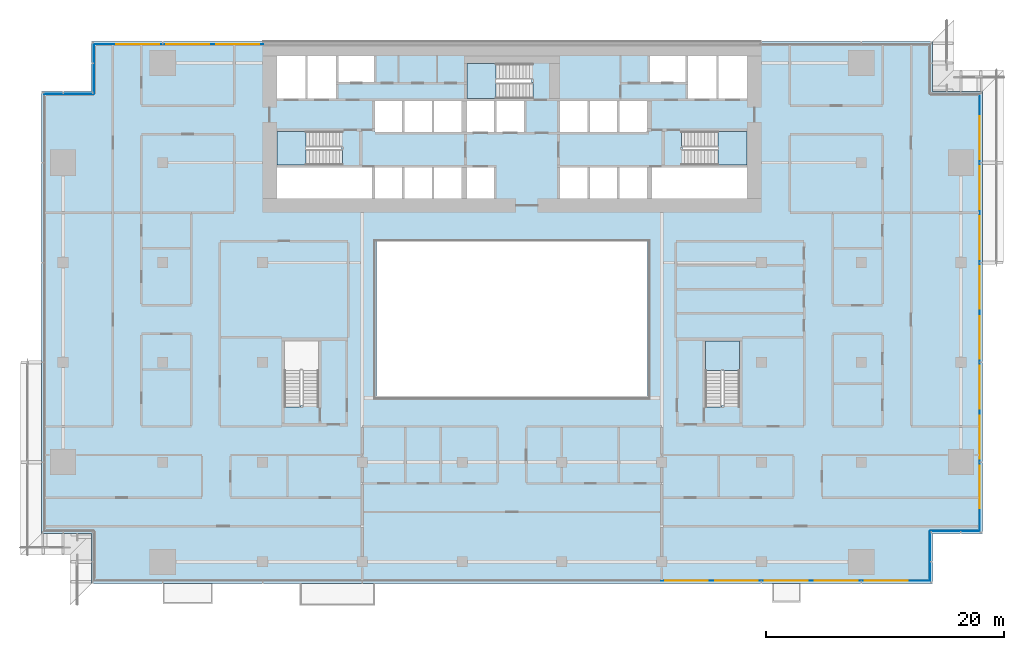
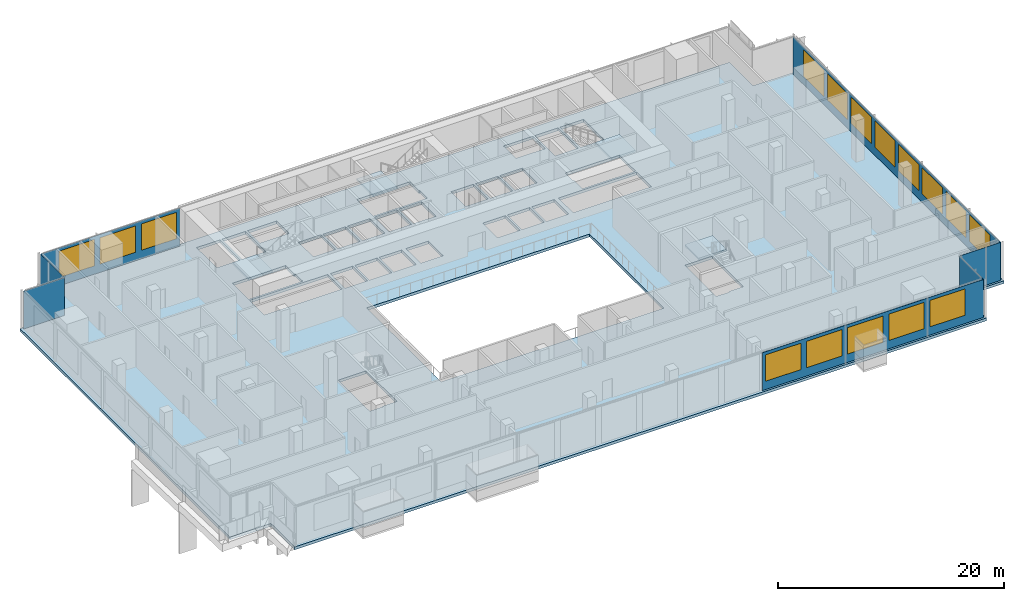
# One storey, part 12 of 23: 16 windows, 7 plates, 5 slabs, 16 openings, 11 elements without a shape of their own.
"""IFC4 building model written with IfcOpenShell, lengths in metres."""

from ifc_helpers import new_model, si_unit, direction, frame, frame_2d, origin, place, context, subcontext, project, spatial, polyline, rectangle, outline, extrude, material, layer, layer_set, type_object, element, fill, aggregate, save


model = new_model("IFC4")

# Units and contexts
model_context = context("Model", 3, precision=1e-05, world=origin(), true_north=direction((0.0, 1.0)))
body_context = subcontext(model_context, "Body", "Model", "MODEL_VIEW")
ifc_project = project(units=[si_unit("LENGTHUNIT", "METRE"), si_unit("AREAUNIT", "SQUARE_METRE"), si_unit("VOLUMEUNIT", "CUBIC_METRE"), si_unit("PLANEANGLEUNIT", "RADIAN"), si_unit("MASSUNIT", "GRAM", prefix="KILO")], contexts=[model_context])

# Site, building, storey
site_placement = place(None, origin())
site = spatial("IfcSite", under=ifc_project, at=site_placement, CompositionType="ELEMENT")
building_placement = place(site_placement, origin())
building = spatial("IfcBuilding", under=site, at=building_placement, Name="Saffron Gate Tower", CompositionType="ELEMENT")
storey_placement = place(building_placement, frame((0.0, 0.0, 32.699951171875)))
storey = spatial("IfcBuildingStorey", under=building, at=storey_placement, Name="L06", CompositionType="ELEMENT", Elevation=32.699951171875)

# Curtain wall, plate, openings, windows
ifc_material_1 = material(Name="Aluminium, bronze anodised", Category="aluminium")
curtain_wall_type = type_object("IfcCurtainWallType", Name="CWS6 curtain wall tall storeys", PredefinedType="NOTDEFINED", material=ifc_material_1)
curtain_wall_1_placement = place(storey_placement, origin())
curtain_wall_1 = element("IfcCurtainWall", 1, at=curtain_wall_1_placement, inside=storey, type_object=curtain_wall_type, Name="CWS6 run 1", PredefinedType="NOTDEFINED")
ifc_material_2 = material(Name="Fritted bronze-tinted laminated glass", Category="glass")
ifc_layer_1 = layer(ifc_material_2, 0.028076171875)
ifc_layer_set_1 = layer_set([ifc_layer_1], Name="CWS6 fixed glass")
plate_type = type_object("IfcPlateType", Name="CWS6 fixed glass", PredefinedType="CURTAIN_PANEL", material=ifc_layer_set_1)
plate_1_placement = place(storey_placement, frame((100.159912109375, 30.214111328125, 0.0), z_axis=(0.0, 0.0, 1.0), x_axis=(1.0, 0.0, 0.0)))
plate_1 = element("IfcPlate", 2, at=plate_1_placement, type_object=plate_type, Name="CWS6 glass panel", PredefinedType="CURTAIN_PANEL", context=body_context, shape_type="SweptSolid", body=[
    extrude(rectangle(XDim=22.612060546875, YDim=0.028076171875, at=frame_2d((11.30615234375, 0.0))), origin(), (0.0, 0.0, 1.0), 4.10009765625),
])
opening_1_placement = place(plate_1_placement, frame((0.340087890625, 0.0, 0.89990234375)))
opening_1 = element("IfcOpeningElement", 3, at=opening_1_placement, cuts=plate_1, Name="Opening W4", PredefinedType="OPENING", context=body_context, shape_type="SweptSolid", body=[
    extrude(rectangle(XDim=3.60009765625, YDim=2.85009765625, at=frame_2d((1.800048828125, 1.425048828125))), frame((0.0, 0.02392578125, 0.0), z_axis=(0.0, -1.0, 0.0), x_axis=(1.0, 0.0, 0.0)), (0.0, 0.0, 1.0), 0.048095703125),
])
opening_2_placement = place(plate_1_placement, frame((4.5400390625, 0.0, 0.89990234375)))
opening_2 = element("IfcOpeningElement", 4, at=opening_2_placement, cuts=plate_1, Name="Opening W4", PredefinedType="OPENING", context=body_context, shape_type="SweptSolid", body=[
    extrude(rectangle(XDim=3.60009765625, YDim=2.85009765625, at=frame_2d((1.800048828125, 1.425048828125))), frame((0.0, 0.02392578125, 0.0), z_axis=(0.0, -1.0, 0.0), x_axis=(1.0, 0.0, 0.0)), (0.0, 0.0, 1.0), 0.048095703125),
])
opening_3_placement = place(plate_1_placement, frame((8.739990234375, 0.0, 0.89990234375)))
opening_3 = element("IfcOpeningElement", 5, at=opening_3_placement, cuts=plate_1, Name="Opening W4", PredefinedType="OPENING", context=body_context, shape_type="SweptSolid", body=[
    extrude(rectangle(XDim=3.60009765625, YDim=2.85009765625, at=frame_2d((1.800048828125, 1.425048828125))), frame((0.0, 0.02392578125, 0.0), z_axis=(0.0, -1.0, 0.0), x_axis=(1.0, 0.0, 0.0)), (0.0, 0.0, 1.0), 0.048095703125),
])
opening_4_placement = place(plate_1_placement, frame((12.93994140625, 0.0, 0.89990234375)))
opening_4 = element("IfcOpeningElement", 6, at=opening_4_placement, cuts=plate_1, Name="Opening W4", PredefinedType="OPENING", context=body_context, shape_type="SweptSolid", body=[
    extrude(rectangle(XDim=3.60009765625, YDim=2.85009765625, at=frame_2d((1.800048828125, 1.425048828125))), frame((0.0, 0.02392578125, 0.0), z_axis=(0.0, -1.0, 0.0), x_axis=(1.0, 0.0, 0.0)), (0.0, 0.0, 1.0), 0.048095703125),
])
opening_5_placement = place(plate_1_placement, frame((17.139892578125, 0.0, 0.89990234375)))
opening_5 = element("IfcOpeningElement", 7, at=opening_5_placement, cuts=plate_1, Name="Opening W4", PredefinedType="OPENING", context=body_context, shape_type="SweptSolid", body=[
    extrude(rectangle(XDim=3.60009765625, YDim=2.85009765625, at=frame_2d((1.800048828125, 1.425048828125))), frame((0.0, 0.02392578125, 0.0), z_axis=(0.0, -1.0, 0.0), x_axis=(1.0, 0.0, 0.0)), (0.0, 0.0, 1.0), 0.048095703125),
])
ifc_material_3 = material(Name="Fritted bronze-tinted laminated glass in bronze frame", Category="glass")
ifc_layer_2 = layer(ifc_material_3, 0.06005859375)
ifc_layer_set_2 = layer_set([ifc_layer_2], Name="W4 operable panel 3600x2850")
window_type = type_object("IfcWindowType", Name="W4 operable panel 3600x2850", PartitioningType="DOUBLE_PANEL_HORIZONTAL", PredefinedType="WINDOW", material=ifc_layer_set_2)
window_1_placement = place(opening_1_placement, origin())
window_1 = element("IfcWindow", 8, at=window_1_placement, type_object=window_type, Name="W4 operable panel", OverallHeight=2.85009765625, OverallWidth=3.60009765625, PartitioningType="SINGLE_PANEL", PredefinedType="WINDOW", context=body_context, shape_type="SweptSolid", body=[
    extrude(rectangle(XDim=3.60009765625, YDim=2.85009765625, at=frame_2d((1.800048828125, 1.425048828125))), frame((0.0, 0.013671875, 0.0), z_axis=(0.0, -1.0, 0.0), x_axis=(1.0, 0.0, 0.0)), (0.0, 0.0, 1.0), 0.027587890625),
])
fill(opening_1, window_1)
window_2_placement = place(opening_2_placement, origin())
window_2 = element("IfcWindow", 9, at=window_2_placement, type_object=window_type, Name="W4 operable panel", OverallHeight=2.85009765625, OverallWidth=3.60009765625, PartitioningType="SINGLE_PANEL", PredefinedType="WINDOW", context=body_context, shape_type="SweptSolid", body=[
    extrude(rectangle(XDim=3.60009765625, YDim=2.85009765625, at=frame_2d((1.800048828125, 1.425048828125))), frame((0.0, 0.013671875, 0.0), z_axis=(0.0, -1.0, 0.0), x_axis=(1.0, 0.0, 0.0)), (0.0, 0.0, 1.0), 0.027587890625),
])
fill(opening_2, window_2)
window_3_placement = place(opening_3_placement, origin())
window_3 = element("IfcWindow", 10, at=window_3_placement, type_object=window_type, Name="W4 operable panel", OverallHeight=2.85009765625, OverallWidth=3.60009765625, PartitioningType="SINGLE_PANEL", PredefinedType="WINDOW", context=body_context, shape_type="SweptSolid", body=[
    extrude(rectangle(XDim=3.60009765625, YDim=2.85009765625, at=frame_2d((1.800048828125, 1.425048828125))), frame((0.0, 0.013671875, 0.0), z_axis=(0.0, -1.0, 0.0), x_axis=(1.0, 0.0, 0.0)), (0.0, 0.0, 1.0), 0.027587890625),
])
fill(opening_3, window_3)
window_4_placement = place(opening_4_placement, origin())
window_4 = element("IfcWindow", 11, at=window_4_placement, type_object=window_type, Name="W4 operable panel", OverallHeight=2.85009765625, OverallWidth=3.60009765625, PartitioningType="SINGLE_PANEL", PredefinedType="WINDOW", context=body_context, shape_type="SweptSolid", body=[
    extrude(rectangle(XDim=3.60009765625, YDim=2.85009765625, at=frame_2d((1.800048828125, 1.425048828125))), frame((0.0, 0.013671875, 0.0), z_axis=(0.0, -1.0, 0.0), x_axis=(1.0, 0.0, 0.0)), (0.0, 0.0, 1.0), 0.027587890625),
])
fill(opening_4, window_4)
window_5_placement = place(opening_5_placement, origin())
window_5 = element("IfcWindow", 12, at=window_5_placement, type_object=window_type, Name="W4 operable panel", OverallHeight=2.85009765625, OverallWidth=3.60009765625, PartitioningType="SINGLE_PANEL", PredefinedType="WINDOW", context=body_context, shape_type="SweptSolid", body=[
    extrude(rectangle(XDim=3.60009765625, YDim=2.85009765625, at=frame_2d((1.800048828125, 1.425048828125))), frame((0.0, 0.013671875, 0.0), z_axis=(0.0, -1.0, 0.0), x_axis=(1.0, 0.0, 0.0)), (0.0, 0.0, 1.0), 0.027587890625),
])
fill(opening_5, window_5)
aggregate(curtain_wall_1, [plate_1, window_1, window_2, window_3, window_4, window_5])

# Curtain wall, plate
curtain_wall_2_placement = place(storey_placement, origin())
curtain_wall_2 = element("IfcCurtainWall", 13, at=curtain_wall_2_placement, inside=storey, type_object=curtain_wall_type, Name="CWS6 run 2", PredefinedType="NOTDEFINED")
plate_2_placement = place(storey_placement, frame((122.785888671875, 30.22802734375, 0.0), z_axis=(0.0, 0.0, 1.0), x_axis=(0.0, 1.0, 0.0)))
plate_2 = element("IfcPlate", 14, at=plate_2_placement, type_object=plate_type, Name="CWS6 glass panel", PredefinedType="CURTAIN_PANEL", context=body_context, shape_type="SweptSolid", body=[
    extrude(rectangle(XDim=4.171875, YDim=0.028076171875, at=frame_2d((2.0859375, 0.0))), origin(), (0.0, 0.0, 1.0), 4.10009765625),
])
aggregate(curtain_wall_2, [plate_2])

curtain_wall_3_placement = place(storey_placement, origin())
curtain_wall_3 = element("IfcCurtainWall", 15, at=curtain_wall_3_placement, inside=storey, type_object=curtain_wall_type, Name="CWS6 run 3", PredefinedType="NOTDEFINED")
plate_3_placement = place(storey_placement, frame((122.800048828125, 34.4140625, 0.0), z_axis=(0.0, 0.0, 1.0), x_axis=(1.0, 0.0, 0.0)))
plate_3 = element("IfcPlate", 16, at=plate_3_placement, type_object=plate_type, Name="CWS6 glass panel", PredefinedType="CURTAIN_PANEL", context=body_context, shape_type="SweptSolid", body=[
    extrude(rectangle(XDim=4.171875, YDim=0.028076171875, at=frame_2d((2.0859375, 0.0))), origin(), (0.0, 0.0, 1.0), 4.10009765625),
])
aggregate(curtain_wall_3, [plate_3])

# Curtain wall, plate, openings, windows
curtain_wall_4_placement = place(storey_placement, origin())
curtain_wall_4 = element("IfcCurtainWall", 17, at=curtain_wall_4_placement, inside=storey, type_object=curtain_wall_type, Name="CWS6 run 4", PredefinedType="NOTDEFINED")
plate_4_placement = place(storey_placement, frame((126.986083984375, 34.427978515625, 0.0), z_axis=(0.0, 0.0, 1.0), x_axis=(0.0, 1.0, 0.0)))
plate_4 = element("IfcPlate", 18, at=plate_4_placement, type_object=plate_type, Name="CWS6 glass panel", PredefinedType="CURTAIN_PANEL", context=body_context, shape_type="SweptSolid", body=[
    extrude(rectangle(XDim=36.744140625, YDim=0.028076171875, at=frame_2d((18.3720703125, 0.0))), origin(), (0.0, 0.0, 1.0), 4.10009765625),
])
opening_6_placement = place(plate_4_placement, frame((1.8720703125, 0.0, 0.89990234375)))
opening_6 = element("IfcOpeningElement", 19, at=opening_6_placement, cuts=plate_4, Name="Opening W4", PredefinedType="OPENING", context=body_context, shape_type="SweptSolid", body=[
    extrude(rectangle(XDim=3.60009765625, YDim=2.85009765625, at=frame_2d((1.800048828125, 1.425048828125))), frame((0.0, 0.02392578125, 0.0), z_axis=(0.0, -1.0, 0.0), x_axis=(1.0, 0.0, 0.0)), (0.0, 0.0, 1.0), 0.048095703125),
])
opening_7_placement = place(plate_4_placement, frame((6.072021484375, 0.0, 0.89990234375)))
opening_7 = element("IfcOpeningElement", 20, at=opening_7_placement, cuts=plate_4, Name="Opening W4", PredefinedType="OPENING", context=body_context, shape_type="SweptSolid", body=[
    extrude(rectangle(XDim=3.60009765625, YDim=2.85009765625, at=frame_2d((1.800048828125, 1.425048828125))), frame((0.0, 0.02392578125, 0.0), z_axis=(0.0, -1.0, 0.0), x_axis=(1.0, 0.0, 0.0)), (0.0, 0.0, 1.0), 0.048095703125),
])
opening_8_placement = place(plate_4_placement, frame((10.27197265625, 0.0, 0.89990234375)))
opening_8 = element("IfcOpeningElement", 21, at=opening_8_placement, cuts=plate_4, Name="Opening W4", PredefinedType="OPENING", context=body_context, shape_type="SweptSolid", body=[
    extrude(rectangle(XDim=3.60009765625, YDim=2.85009765625, at=frame_2d((1.800048828125, 1.425048828125))), frame((0.0, 0.02392578125, 0.0), z_axis=(0.0, -1.0, 0.0), x_axis=(1.0, 0.0, 0.0)), (0.0, 0.0, 1.0), 0.048095703125),
])
opening_9_placement = place(plate_4_placement, frame((14.471923828125, 0.0, 0.89990234375)))
opening_9 = element("IfcOpeningElement", 22, at=opening_9_placement, cuts=plate_4, Name="Opening W4", PredefinedType="OPENING", context=body_context, shape_type="SweptSolid", body=[
    extrude(rectangle(XDim=3.60009765625, YDim=2.85009765625, at=frame_2d((1.800048828125, 1.425048828125))), frame((0.0, 0.02392578125, 0.0), z_axis=(0.0, -1.0, 0.0), x_axis=(1.0, 0.0, 0.0)), (0.0, 0.0, 1.0), 0.048095703125),
])
opening_10_placement = place(plate_4_placement, frame((18.672119140625, 0.0, 0.89990234375)))
opening_10 = element("IfcOpeningElement", 23, at=opening_10_placement, cuts=plate_4, Name="Opening W4", PredefinedType="OPENING", context=body_context, shape_type="SweptSolid", body=[
    extrude(rectangle(XDim=3.60009765625, YDim=2.85009765625, at=frame_2d((1.800048828125, 1.425048828125))), frame((0.0, 0.02392578125, 0.0), z_axis=(0.0, -1.0, 0.0), x_axis=(1.0, 0.0, 0.0)), (0.0, 0.0, 1.0), 0.048095703125),
])
opening_11_placement = place(plate_4_placement, frame((22.8720703125, 0.0, 0.89990234375)))
opening_11 = element("IfcOpeningElement", 24, at=opening_11_placement, cuts=plate_4, Name="Opening W4", PredefinedType="OPENING", context=body_context, shape_type="SweptSolid", body=[
    extrude(rectangle(XDim=3.60009765625, YDim=2.85009765625, at=frame_2d((1.800048828125, 1.425048828125))), frame((0.0, 0.02392578125, 0.0), z_axis=(0.0, -1.0, 0.0), x_axis=(1.0, 0.0, 0.0)), (0.0, 0.0, 1.0), 0.048095703125),
])
opening_12_placement = place(plate_4_placement, frame((27.072021484375, 0.0, 0.89990234375)))
opening_12 = element("IfcOpeningElement", 25, at=opening_12_placement, cuts=plate_4, Name="Opening W4", PredefinedType="OPENING", context=body_context, shape_type="SweptSolid", body=[
    extrude(rectangle(XDim=3.60009765625, YDim=2.85009765625, at=frame_2d((1.800048828125, 1.425048828125))), frame((0.0, 0.02392578125, 0.0), z_axis=(0.0, -1.0, 0.0), x_axis=(1.0, 0.0, 0.0)), (0.0, 0.0, 1.0), 0.048095703125),
])
opening_13_placement = place(plate_4_placement, frame((31.27197265625, 0.0, 0.89990234375)))
opening_13 = element("IfcOpeningElement", 26, at=opening_13_placement, cuts=plate_4, Name="Opening W4", PredefinedType="OPENING", context=body_context, shape_type="SweptSolid", body=[
    extrude(rectangle(XDim=3.60009765625, YDim=2.85009765625, at=frame_2d((1.800048828125, 1.425048828125))), frame((0.0, 0.02392578125, 0.0), z_axis=(0.0, -1.0, 0.0), x_axis=(1.0, 0.0, 0.0)), (0.0, 0.0, 1.0), 0.048095703125),
])
window_6_placement = place(opening_6_placement, origin())
window_6 = element("IfcWindow", 27, at=window_6_placement, type_object=window_type, Name="W4 operable panel", OverallHeight=2.85009765625, OverallWidth=3.60009765625, PartitioningType="SINGLE_PANEL", PredefinedType="WINDOW", context=body_context, shape_type="SweptSolid", body=[
    extrude(rectangle(XDim=3.60009765625, YDim=2.85009765625, at=frame_2d((1.800048828125, 1.425048828125))), frame((0.0, 0.013671875, 0.0), z_axis=(0.0, -1.0, 0.0), x_axis=(1.0, 0.0, 0.0)), (0.0, 0.0, 1.0), 0.027587890625),
])
fill(opening_6, window_6)
window_7_placement = place(opening_7_placement, origin())
window_7 = element("IfcWindow", 28, at=window_7_placement, type_object=window_type, Name="W4 operable panel", OverallHeight=2.85009765625, OverallWidth=3.60009765625, PartitioningType="SINGLE_PANEL", PredefinedType="WINDOW", context=body_context, shape_type="SweptSolid", body=[
    extrude(rectangle(XDim=3.60009765625, YDim=2.85009765625, at=frame_2d((1.800048828125, 1.425048828125))), frame((0.0, 0.013671875, 0.0), z_axis=(0.0, -1.0, 0.0), x_axis=(1.0, 0.0, 0.0)), (0.0, 0.0, 1.0), 0.027587890625),
])
fill(opening_7, window_7)
window_8_placement = place(opening_8_placement, origin())
window_8 = element("IfcWindow", 29, at=window_8_placement, type_object=window_type, Name="W4 operable panel", OverallHeight=2.85009765625, OverallWidth=3.60009765625, PartitioningType="SINGLE_PANEL", PredefinedType="WINDOW", context=body_context, shape_type="SweptSolid", body=[
    extrude(rectangle(XDim=3.60009765625, YDim=2.85009765625, at=frame_2d((1.800048828125, 1.425048828125))), frame((0.0, 0.013671875, 0.0), z_axis=(0.0, -1.0, 0.0), x_axis=(1.0, 0.0, 0.0)), (0.0, 0.0, 1.0), 0.027587890625),
])
fill(opening_8, window_8)
window_9_placement = place(opening_9_placement, origin())
window_9 = element("IfcWindow", 30, at=window_9_placement, type_object=window_type, Name="W4 operable panel", OverallHeight=2.85009765625, OverallWidth=3.60009765625, PartitioningType="SINGLE_PANEL", PredefinedType="WINDOW", context=body_context, shape_type="SweptSolid", body=[
    extrude(rectangle(XDim=3.60009765625, YDim=2.85009765625, at=frame_2d((1.800048828125, 1.425048828125))), frame((0.0, 0.013671875, 0.0), z_axis=(0.0, -1.0, 0.0), x_axis=(1.0, 0.0, 0.0)), (0.0, 0.0, 1.0), 0.027587890625),
])
fill(opening_9, window_9)
window_10_placement = place(opening_10_placement, origin())
window_10 = element("IfcWindow", 31, at=window_10_placement, type_object=window_type, Name="W4 operable panel", OverallHeight=2.85009765625, OverallWidth=3.60009765625, PartitioningType="SINGLE_PANEL", PredefinedType="WINDOW", context=body_context, shape_type="SweptSolid", body=[
    extrude(rectangle(XDim=3.60009765625, YDim=2.85009765625, at=frame_2d((1.800048828125, 1.425048828125))), frame((0.0, 0.013671875, 0.0), z_axis=(0.0, -1.0, 0.0), x_axis=(1.0, 0.0, 0.0)), (0.0, 0.0, 1.0), 0.027587890625),
])
fill(opening_10, window_10)
window_11_placement = place(opening_11_placement, origin())
window_11 = element("IfcWindow", 32, at=window_11_placement, type_object=window_type, Name="W4 operable panel", OverallHeight=2.85009765625, OverallWidth=3.60009765625, PartitioningType="SINGLE_PANEL", PredefinedType="WINDOW", context=body_context, shape_type="SweptSolid", body=[
    extrude(rectangle(XDim=3.60009765625, YDim=2.85009765625, at=frame_2d((1.800048828125, 1.425048828125))), frame((0.0, 0.013671875, 0.0), z_axis=(0.0, -1.0, 0.0), x_axis=(1.0, 0.0, 0.0)), (0.0, 0.0, 1.0), 0.027587890625),
])
fill(opening_11, window_11)
window_12_placement = place(opening_12_placement, origin())
window_12 = element("IfcWindow", 33, at=window_12_placement, type_object=window_type, Name="W4 operable panel", OverallHeight=2.85009765625, OverallWidth=3.60009765625, PartitioningType="SINGLE_PANEL", PredefinedType="WINDOW", context=body_context, shape_type="SweptSolid", body=[
    extrude(rectangle(XDim=3.60009765625, YDim=2.85009765625, at=frame_2d((1.800048828125, 1.425048828125))), frame((0.0, 0.013671875, 0.0), z_axis=(0.0, -1.0, 0.0), x_axis=(1.0, 0.0, 0.0)), (0.0, 0.0, 1.0), 0.027587890625),
])
fill(opening_12, window_12)
window_13_placement = place(opening_13_placement, origin())
window_13 = element("IfcWindow", 34, at=window_13_placement, type_object=window_type, Name="W4 operable panel", OverallHeight=2.85009765625, OverallWidth=3.60009765625, PartitioningType="SINGLE_PANEL", PredefinedType="WINDOW", context=body_context, shape_type="SweptSolid", body=[
    extrude(rectangle(XDim=3.60009765625, YDim=2.85009765625, at=frame_2d((1.800048828125, 1.425048828125))), frame((0.0, 0.013671875, 0.0), z_axis=(0.0, -1.0, 0.0), x_axis=(1.0, 0.0, 0.0)), (0.0, 0.0, 1.0), 0.027587890625),
])
fill(opening_13, window_13)
aggregate(curtain_wall_4, [plate_4, window_6, window_7, window_8, window_9, window_10, window_11, window_12, window_13])

curtain_wall_5_placement = place(storey_placement, origin())
curtain_wall_5 = element("IfcCurtainWall", 35, at=curtain_wall_5_placement, inside=storey, type_object=curtain_wall_type, Name="CWS6 run 7", PredefinedType="NOTDEFINED")
plate_5_placement = place(storey_placement, frame((66.639892578125, 75.385986328125, 0.0), z_axis=(0.0, 0.0, 1.0), x_axis=(-1.0, 0.0, 0.0)))
plate_5 = element("IfcPlate", 36, at=plate_5_placement, type_object=plate_type, Name="CWS6 glass panel", PredefinedType="CURTAIN_PANEL", context=body_context, shape_type="SweptSolid", body=[
    extrude(rectangle(XDim=14.2119140625, YDim=0.028076171875, at=frame_2d((7.10595703125, 0.0))), origin(), (0.0, 0.0, 1.0), 4.10009765625),
])
opening_14_placement = place(plate_5_placement, frame((0.340087890625, 0.0, 0.89990234375)))
opening_14 = element("IfcOpeningElement", 37, at=opening_14_placement, cuts=plate_5, Name="Opening W4", PredefinedType="OPENING", context=body_context, shape_type="SweptSolid", body=[
    extrude(rectangle(XDim=3.60009765625, YDim=2.85009765625, at=frame_2d((1.800048828125, 1.425048828125))), frame((0.0, 0.02392578125, 0.0), z_axis=(0.0, -1.0, 0.0), x_axis=(1.0, 0.0, 0.0)), (0.0, 0.0, 1.0), 0.048095703125),
])
opening_15_placement = place(plate_5_placement, frame((4.5400390625, 0.0, 0.89990234375)))
opening_15 = element("IfcOpeningElement", 38, at=opening_15_placement, cuts=plate_5, Name="Opening W4", PredefinedType="OPENING", context=body_context, shape_type="SweptSolid", body=[
    extrude(rectangle(XDim=3.60009765625, YDim=2.85009765625, at=frame_2d((1.800048828125, 1.425048828125))), frame((0.0, 0.02392578125, 0.0), z_axis=(0.0, -1.0, 0.0), x_axis=(1.0, 0.0, 0.0)), (0.0, 0.0, 1.0), 0.048095703125),
])
opening_16_placement = place(plate_5_placement, frame((8.739990234375, 0.0, 0.89990234375)))
opening_16 = element("IfcOpeningElement", 39, at=opening_16_placement, cuts=plate_5, Name="Opening W4", PredefinedType="OPENING", context=body_context, shape_type="SweptSolid", body=[
    extrude(rectangle(XDim=3.60009765625, YDim=2.85009765625, at=frame_2d((1.800048828125, 1.425048828125))), frame((0.0, 0.02392578125, 0.0), z_axis=(0.0, -1.0, 0.0), x_axis=(1.0, 0.0, 0.0)), (0.0, 0.0, 1.0), 0.048095703125),
])
window_14_placement = place(opening_14_placement, origin())
window_14 = element("IfcWindow", 40, at=window_14_placement, type_object=window_type, Name="W4 operable panel", OverallHeight=2.85009765625, OverallWidth=3.60009765625, PartitioningType="SINGLE_PANEL", PredefinedType="WINDOW", context=body_context, shape_type="SweptSolid", body=[
    extrude(rectangle(XDim=3.60009765625, YDim=2.85009765625, at=frame_2d((1.800048828125, 1.425048828125))), frame((0.0, 0.013671875, 0.0), z_axis=(0.0, -1.0, 0.0), x_axis=(1.0, 0.0, 0.0)), (0.0, 0.0, 1.0), 0.027587890625),
])
fill(opening_14, window_14)
window_15_placement = place(opening_15_placement, origin())
window_15 = element("IfcWindow", 41, at=window_15_placement, type_object=window_type, Name="W4 operable panel", OverallHeight=2.85009765625, OverallWidth=3.60009765625, PartitioningType="SINGLE_PANEL", PredefinedType="WINDOW", context=body_context, shape_type="SweptSolid", body=[
    extrude(rectangle(XDim=3.60009765625, YDim=2.85009765625, at=frame_2d((1.800048828125, 1.425048828125))), frame((0.0, 0.013671875, 0.0), z_axis=(0.0, -1.0, 0.0), x_axis=(1.0, 0.0, 0.0)), (0.0, 0.0, 1.0), 0.027587890625),
])
fill(opening_15, window_15)
window_16_placement = place(opening_16_placement, origin())
window_16 = element("IfcWindow", 42, at=window_16_placement, type_object=window_type, Name="W4 operable panel", OverallHeight=2.85009765625, OverallWidth=3.60009765625, PartitioningType="SINGLE_PANEL", PredefinedType="WINDOW", context=body_context, shape_type="SweptSolid", body=[
    extrude(rectangle(XDim=3.60009765625, YDim=2.85009765625, at=frame_2d((1.800048828125, 1.425048828125))), frame((0.0, 0.013671875, 0.0), z_axis=(0.0, -1.0, 0.0), x_axis=(1.0, 0.0, 0.0)), (0.0, 0.0, 1.0), 0.027587890625),
])
fill(opening_16, window_16)
aggregate(curtain_wall_5, [plate_5, window_14, window_15, window_16])

# Curtain wall, plate
curtain_wall_6_placement = place(storey_placement, origin())
curtain_wall_6 = element("IfcCurtainWall", 43, at=curtain_wall_6_placement, inside=storey, type_object=curtain_wall_type, Name="CWS6 run 8", PredefinedType="NOTDEFINED")
plate_6_placement = place(storey_placement, frame((52.4140625, 75.3720703125, 0.0), z_axis=(0.0, 0.0, 1.0), x_axis=(0.0, -1.0, 0.0)))
plate_6 = element("IfcPlate", 44, at=plate_6_placement, type_object=plate_type, Name="CWS6 glass panel", PredefinedType="CURTAIN_PANEL", context=body_context, shape_type="SweptSolid", body=[
    extrude(rectangle(XDim=4.172119140625, YDim=0.028076171875, at=frame_2d((2.0859375, 0.0))), origin(), (0.0, 0.0, 1.0), 4.10009765625),
])
aggregate(curtain_wall_6, [plate_6])

curtain_wall_7_placement = place(storey_placement, origin())
curtain_wall_7 = element("IfcCurtainWall", 45, at=curtain_wall_7_placement, inside=storey, type_object=curtain_wall_type, Name="CWS6 run 9", PredefinedType="NOTDEFINED")
plate_7_placement = place(storey_placement, frame((52.39990234375, 71.18603515625, 0.0), z_axis=(0.0, 0.0, 1.0), x_axis=(-1.0, 0.0, 0.0)))
plate_7 = element("IfcPlate", 46, at=plate_7_placement, type_object=plate_type, Name="CWS6 glass panel", PredefinedType="CURTAIN_PANEL", context=body_context, shape_type="SweptSolid", body=[
    extrude(rectangle(XDim=4.171875, YDim=0.028076171875, at=frame_2d((2.0859375, 0.0))), origin(), (0.0, 0.0, 1.0), 4.10009765625),
])
aggregate(curtain_wall_7, [plate_7])

# Slab
ifc_material_4 = material(Name="Concrete C40", Category="concrete")
ifc_layer_3 = layer(ifc_material_4, 0.300048828125)
ifc_layer_set_3 = layer_set([ifc_layer_3], Name="S3 FLOOR SLAB 300 CONCRETE C40")
slab_type_1 = type_object("IfcSlabType", Name="S3 FLOOR SLAB 300 CONCRETE C40", PredefinedType="FLOOR", material=ifc_layer_set_3)
slab_1_placement = place(storey_placement, frame((0.0, 0.0, -0.300048828125)))
element("IfcSlab", 47, at=slab_1_placement, inside=storey, type_object=slab_type_1, Name="S3 FLOOR SLAB", PredefinedType="FLOOR", context=body_context, shape_type="SweptSolid", body=[
    extrude(outline(polyline([(48.0, 34.199951171875), (52.199951171875, 34.199951171875), (52.199951171875, 30.0), (123.0, 30.0), (123.0, 34.199951171875), (127.199951171875, 34.199951171875), (127.199951171875, 71.39990234375), (123.0, 71.39990234375), (123.0, 75.60009765625), (52.199951171875, 75.60009765625), (52.199951171875, 71.39990234375), (48.0, 71.39990234375), (48.0, 34.199951171875)]), holes=[polyline([(67.800048828125, 62.39990234375), (67.800048828125, 65.0), (75.800048828125, 65.0), (75.800048828125, 62.39990234375), (67.800048828125, 62.39990234375)]), polyline([(67.800048828125, 65.199951171875), (67.800048828125, 68.050048828125), (73.25, 68.050048828125), (73.25, 66.550048828125), (73.34912109375, 66.550048828125), (73.34912109375, 65.199951171875), (67.800048828125, 65.199951171875)]), polyline([(67.800048828125, 70.800048828125), (67.800048828125, 74.39990234375), (70.199951171875, 74.39990234375), (70.199951171875, 70.800048828125), (67.800048828125, 70.800048828125)]), polyline([(68.449951171875, 44.85107421875), (68.449951171875, 50.39990234375), (71.300048828125, 50.39990234375), (71.300048828125, 44.949951171875), (69.800048828125, 44.949951171875), (69.800048828125, 44.85107421875), (68.449951171875, 44.85107421875)]), polyline([(70.39990234375, 70.800048828125), (70.39990234375, 74.39990234375), (72.800048828125, 74.39990234375), (72.800048828125, 70.800048828125), (70.39990234375, 70.800048828125)]), polyline([(73.0, 72.199951171875), (73.0, 74.39990234375), (76.0, 74.39990234375), (76.0, 72.199951171875), (73.0, 72.199951171875)]), polyline([(76.050048828125, 62.39990234375), (76.050048828125, 65.0), (78.35009765625, 65.0), (78.35009765625, 62.39990234375), (76.050048828125, 62.39990234375)]), polyline([(76.050048828125, 68.0), (76.050048828125, 70.60009765625), (78.35009765625, 70.60009765625), (78.35009765625, 68.0), (76.050048828125, 68.0)]), polyline([(76.199951171875, 45.60009765625), (76.199951171875, 58.800048828125), (99.0, 58.800048828125), (99.0, 45.60009765625), (76.199951171875, 45.60009765625)]), polyline([(78.550048828125, 62.39990234375), (78.550048828125, 65.0), (80.85009765625, 65.0), (80.85009765625, 62.39990234375), (78.550048828125, 62.39990234375)]), polyline([(78.550048828125, 68.0), (78.550048828125, 70.60009765625), (80.85009765625, 70.60009765625), (80.85009765625, 68.0), (78.550048828125, 68.0)]), polyline([(81.050048828125, 62.39990234375), (81.050048828125, 65.0), (83.35009765625, 65.0), (83.35009765625, 62.39990234375), (81.050048828125, 62.39990234375)]), polyline([(81.050048828125, 68.0), (81.050048828125, 70.60009765625), (83.35009765625, 70.60009765625), (83.35009765625, 68.0), (81.050048828125, 68.0)]), polyline([(83.800048828125, 62.39990234375), (83.800048828125, 65.0), (86.10009765625, 65.0), (86.10009765625, 62.39990234375), (83.800048828125, 62.39990234375)]), polyline([(83.800048828125, 68.0), (83.800048828125, 70.60009765625), (86.10009765625, 70.60009765625), (86.10009765625, 68.0), (83.800048828125, 68.0)]), polyline([(83.800048828125, 70.800048828125), (83.800048828125, 73.75), (89.25, 73.75), (89.25, 72.14990234375), (89.34912109375, 72.14990234375), (89.34912109375, 70.800048828125), (83.800048828125, 70.800048828125)]), polyline([(86.300048828125, 68.0), (86.300048828125, 70.60009765625), (88.60009765625, 70.60009765625), (88.60009765625, 68.0), (86.300048828125, 68.0)]), polyline([(91.64990234375, 62.39990234375), (91.64990234375, 65.0), (93.949951171875, 65.0), (93.949951171875, 62.39990234375), (91.64990234375, 62.39990234375)]), polyline([(91.64990234375, 68.0), (91.64990234375, 70.60009765625), (93.949951171875, 70.60009765625), (93.949951171875, 68.0), (91.64990234375, 68.0)]), polyline([(94.14990234375, 62.39990234375), (94.14990234375, 65.0), (96.449951171875, 65.0), (96.449951171875, 62.39990234375), (94.14990234375, 62.39990234375)]), polyline([(94.14990234375, 68.0), (94.14990234375, 70.60009765625), (96.449951171875, 70.60009765625), (96.449951171875, 68.0), (94.14990234375, 68.0)]), polyline([(96.64990234375, 62.39990234375), (96.64990234375, 65.0), (98.949951171875, 65.0), (98.949951171875, 62.39990234375), (96.64990234375, 62.39990234375)]), polyline([(96.64990234375, 68.0), (96.64990234375, 70.60009765625), (98.949951171875, 70.60009765625), (98.949951171875, 68.0), (96.64990234375, 68.0)]), polyline([(99.199951171875, 72.199951171875), (99.199951171875, 74.39990234375), (102.199951171875, 74.39990234375), (102.199951171875, 72.199951171875), (99.199951171875, 72.199951171875)]), polyline([(99.39990234375, 62.39990234375), (99.39990234375, 65.0), (107.39990234375, 65.0), (107.39990234375, 62.39990234375), (99.39990234375, 62.39990234375)]), polyline([(101.85107421875, 66.699951171875), (101.85107421875, 68.050048828125), (107.39990234375, 68.050048828125), (107.39990234375, 65.199951171875), (101.949951171875, 65.199951171875), (101.949951171875, 66.699951171875), (101.85107421875, 66.699951171875)]), polyline([(102.39990234375, 70.800048828125), (102.39990234375, 74.39990234375), (104.800048828125, 74.39990234375), (104.800048828125, 70.800048828125), (102.39990234375, 70.800048828125)]), polyline([(103.89990234375, 44.85107421875), (103.89990234375, 50.39990234375), (106.75, 50.39990234375), (106.75, 44.949951171875), (105.25, 44.949951171875), (105.25, 44.85107421875), (103.89990234375, 44.85107421875)]), polyline([(105.0, 70.800048828125), (105.0, 74.39990234375), (107.39990234375, 74.39990234375), (107.39990234375, 70.800048828125), (105.0, 70.800048828125)])]), origin(), (0.0, 0.0, 1.0), 0.300048828125),
])

# Stair, slab
stair_type = type_object("IfcStairType", Name="ST6 Stair 1350 wide, 24 risers of 188", PredefinedType="HALF_TURN_STAIR", material=ifc_material_4)
stair_1_placement = place(storey_placement, origin())
stair_1 = element("IfcStair", 48, at=stair_1_placement, inside=storey, type_object=stair_type, Name="L06 Exit stair A", PredefinedType="HALF_TURN_STAIR")
ifc_layer_4 = layer(ifc_material_4, 0.199951171875)
ifc_layer_set_4 = layer_set([ifc_layer_4], Name="SL1 Stair landing 200")
slab_type_2 = type_object("IfcSlabType", Name="SL1 Stair landing 200", PredefinedType="LANDING", material=ifc_layer_set_4)
slab_2_placement = place(storey_placement, frame((0.0, 0.0, 2.050048828125)))
slab_2 = element("IfcSlab", 49, at=slab_2_placement, type_object=slab_type_2, Name="ST-A landing 1", PredefinedType="LANDING", context=body_context, shape_type="SweptSolid", body=[
    extrude(outline(polyline([(70.27001953125, 68.050048828125), (67.800048828125, 68.050048828125), (67.800048828125, 65.199951171875), (70.27001953125, 65.199951171875), (70.27001953125, 68.050048828125)])), origin(), (0.0, 0.0, 1.0), 0.199951171875),
])
aggregate(stair_1, [slab_2])

stair_2_placement = place(storey_placement, origin())
stair_2 = element("IfcStair", 50, at=stair_2_placement, inside=storey, type_object=stair_type, Name="L06 Exit stair B", PredefinedType="HALF_TURN_STAIR")
slab_3_placement = place(storey_placement, frame((0.0, 0.0, 2.050048828125)))
slab_3 = element("IfcSlab", 51, at=slab_3_placement, type_object=slab_type_2, Name="ST-B landing 1", PredefinedType="LANDING", context=body_context, shape_type="SweptSolid", body=[
    extrude(outline(polyline([(104.929931640625, 65.199951171875), (107.39990234375, 65.199951171875), (107.39990234375, 68.050048828125), (104.929931640625, 68.050048828125), (104.929931640625, 65.199951171875)])), origin(), (0.0, 0.0, 1.0), 0.199951171875),
])
aggregate(stair_2, [slab_3])

stair_3_placement = place(storey_placement, origin())
stair_3 = element("IfcStair", 52, at=stair_3_placement, inside=storey, type_object=stair_type, Name="L06 Exit stair C", PredefinedType="HALF_TURN_STAIR")
slab_4_placement = place(storey_placement, frame((0.0, 0.0, 2.050048828125)))
slab_4 = element("IfcSlab", 53, at=slab_4_placement, type_object=slab_type_2, Name="ST-C landing 1", PredefinedType="LANDING", context=body_context, shape_type="SweptSolid", body=[
    extrude(outline(polyline([(86.27001953125, 73.75), (83.800048828125, 73.75), (83.800048828125, 70.800048828125), (86.27001953125, 70.800048828125), (86.27001953125, 73.75)])), origin(), (0.0, 0.0, 1.0), 0.199951171875),
])
aggregate(stair_3, [slab_4])

stair_4_placement = place(storey_placement, origin())
stair_4 = element("IfcStair", 54, at=stair_4_placement, inside=storey, type_object=stair_type, Name="L06 Exit stair E", PredefinedType="HALF_TURN_STAIR")
slab_5_placement = place(storey_placement, frame((0.0, 0.0, 2.050048828125)))
slab_5 = element("IfcSlab", 55, at=slab_5_placement, type_object=slab_type_2, Name="ST-E landing 1", PredefinedType="LANDING", context=body_context, shape_type="SweptSolid", body=[
    extrude(outline(polyline([(106.75, 47.929931640625), (106.75, 50.39990234375), (103.89990234375, 50.39990234375), (103.89990234375, 47.929931640625), (106.75, 47.929931640625)])), origin(), (0.0, 0.0, 1.0), 0.199951171875),
])
aggregate(stair_4, [slab_5])

save(model, "model.ifc")
